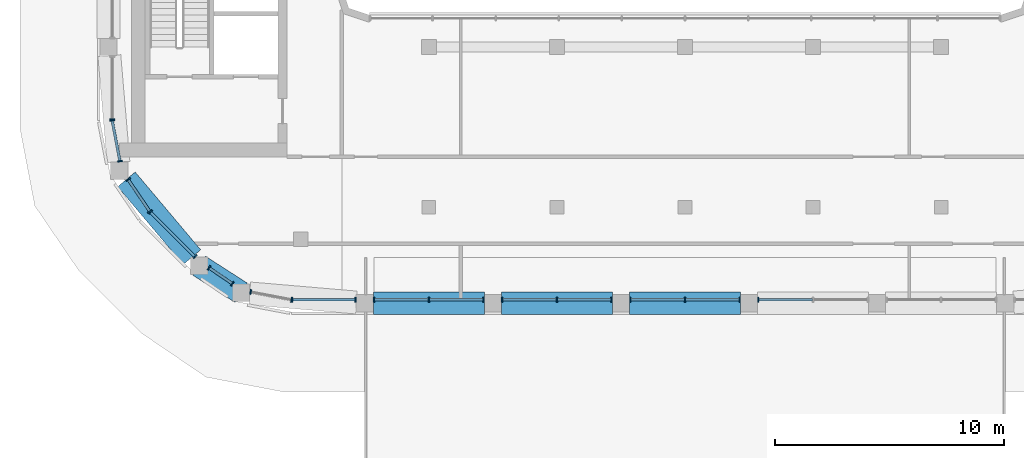
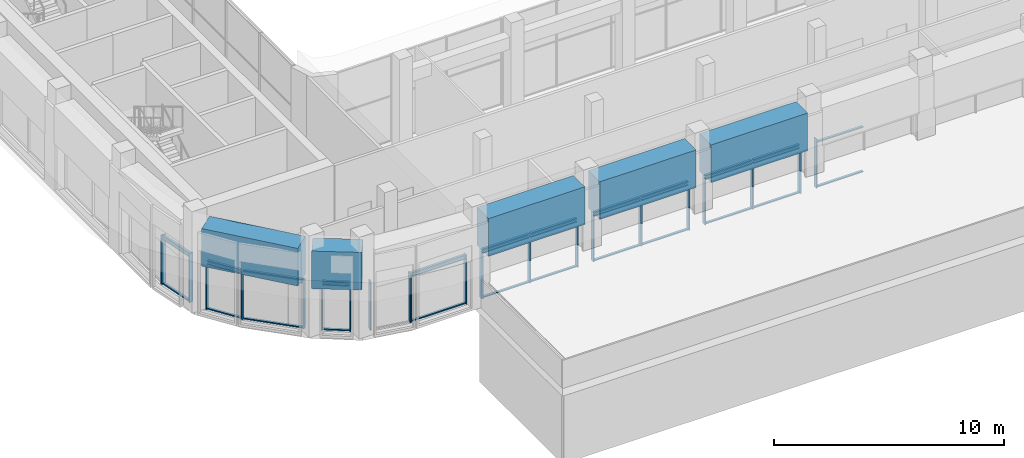
# One storey, part 2 of 23: 58 members, 5 beams, 11 elements without a shape of their own.
"""IFC4 building model written with IfcOpenShell, lengths in metres."""

import ifcopenshell
import ifcopenshell.guid

model = None  # the IFC model being written
_history = None  # IfcOwnerHistory: only IFC2X3 demands one
_inside = {}  # id of a spatial element -> (the spatial element, [elements in it])
_under = {}  # id of a project, library or spatial element -> (it, [spatial elements below it])
_declared = {}  # id of a project -> (the project, [libraries it declares])
_typed = {}  # id of a type object -> (the type object, [elements of that type])
_made_of = {}  # id of a material, layer set ... -> (it, [elements and type objects made of it])


def new_model(schema):
    """Start an empty IFC model of exactly this schema.

    Asked for "IFC4X3", IfcOpenShell would pick the latest addendum, in which some entities
    have other attributes; the version numbers below select the first issue.
    IFC2X3 requires an IfcOwnerHistory on every rooted entity: one is made here for all.
    """
    global model, _history
    if schema == "IFC4X3":
        model = ifcopenshell.file(schema_version=(4, 3, 0, 0))
    else:
        model = ifcopenshell.file(schema=schema)
    _inside.clear()
    _under.clear()
    _declared.clear()
    _typed.clear()
    _made_of.clear()
    _history = None
    if model.schema == "IFC2X3":
        org = make("IfcOrganization", Name="unknown")
        user = make(
            "IfcPersonAndOrganization",
            ThePerson=make("IfcPerson", FamilyName="unknown"),
            TheOrganization=org,
        )
        app = make(
            "IfcApplication",
            ApplicationDeveloper=org,
            Version="unknown",
            ApplicationFullName="unknown",
            ApplicationIdentifier="unknown",
        )
        _history = make(
            "IfcOwnerHistory",
            OwningUser=user,
            OwningApplication=app,
            ChangeAction="ADDED",
            CreationDate=0,
        )
    return model


def make(cls, **values):
    """One entity of the class cls with the attributes given. An attribute that is None is left unset."""
    return model.create_entity(
        cls, **{name: value for name, value in values.items() if value is not None}
    )


def rooted(cls, **values):
    """An entity with a GlobalId (a new one), such as an element, a storey or a relation."""
    return make(cls, GlobalId=ifcopenshell.guid.new(), OwnerHistory=_history, **values)


def si_unit(unit_type, name, prefix=None):
    """IfcSIUnit, for example si_unit("LENGTHUNIT", "METRE", prefix="MILLI")."""
    return make("IfcSIUnit", UnitType=unit_type, Prefix=prefix, Name=name)


def assignment(units):
    """IfcUnitAssignment: the units of a project."""
    return None if units is None else make("IfcUnitAssignment", Units=units)


def point(xyz):
    """IfcCartesianPoint."""
    return None if xyz is None else make("IfcCartesianPoint", Coordinates=xyz)


def direction(xyz):
    """IfcDirection."""
    return None if xyz is None else make("IfcDirection", DirectionRatios=xyz)


def frame(location, z_axis=None, x_axis=None):
    """IfcAxis2Placement3D, a coordinate frame: its origin and axes. An axis left out is left unset."""
    return make(
        "IfcAxis2Placement3D",
        Location=point(location),
        Axis=direction(z_axis),
        RefDirection=direction(x_axis),
    )


def frame_2d(location, x_axis=None):
    """IfcAxis2Placement2D, a coordinate frame in the plane: its origin and x axis."""
    return make(
        "IfcAxis2Placement2D", Location=point(location), RefDirection=direction(x_axis)
    )


def origin():
    """The frame at (0, 0, 0) with its axes left unset."""
    return frame((0.0, 0.0, 0.0))


def origin_2d():
    """The frame at (0, 0) in the plane with its x axis left unset."""
    return frame_2d((0.0, 0.0))


def place(relative_to, where):
    """IfcLocalPlacement: puts the frame where relative to a parent placement (None: the world)."""
    return make(
        "IfcLocalPlacement", PlacementRelTo=relative_to, RelativePlacement=where
    )


def context(
    kind, dimensions, precision=None, world=None, true_north=None, identifier=None
):
    """IfcGeometricRepresentationContext, for example the 3D "Model" context."""
    return make(
        "IfcGeometricRepresentationContext",
        ContextIdentifier=identifier,
        ContextType=kind,
        CoordinateSpaceDimension=dimensions,
        Precision=precision,
        WorldCoordinateSystem=world,
        TrueNorth=true_north,
    )


def subcontext(parent, identifier, kind, view, scale=None):
    """IfcGeometricRepresentationSubContext, for example "Body" below "Model"."""
    return make(
        "IfcGeometricRepresentationSubContext",
        ContextIdentifier=identifier,
        ContextType=kind,
        ParentContext=parent,
        TargetScale=scale,
        TargetView=view,
    )


def project(units=None, contexts=None):
    """IfcProject with its units and contexts."""
    return rooted(
        "IfcProject",
        Name="project",
        RepresentationContexts=contexts,
        UnitsInContext=assignment(units),
    )


def spatial(cls, under=None, at=None, **own):
    """A site, building, storey or space (cls), placed at a placement, below another one or the project."""
    s = rooted(cls, ObjectPlacement=at, **own)
    if under is not None:
        _under.setdefault(under.id(), (under, []))[1].append(s)
    return s


def profile(cls, at=None, kind="AREA", **sizes):
    """A parametric profile (cls). Its sizes go by their IFC names, for example OverallWidth=200.0."""
    return make(cls, ProfileType=kind, Position=at, **sizes)


def rectangle(**sizes):
    """IfcRectangleProfileDef."""
    return profile("IfcRectangleProfileDef", **sizes)


def extrude(swept, where, along, depth):
    """IfcExtrudedAreaSolid: the profile swept, set in the frame where, extruded along a direction by depth."""
    return make(
        "IfcExtrudedAreaSolid",
        SweptArea=swept,
        Position=where,
        ExtrudedDirection=direction(along),
        Depth=depth,
    )


def shape(context_of_items, identifier, shape_type, items):
    """IfcShapeRepresentation: the items that make up one representation, for example the "Body"."""
    return make(
        "IfcShapeRepresentation",
        ContextOfItems=context_of_items,
        RepresentationIdentifier=identifier,
        RepresentationType=shape_type,
        Items=items,
    )


def material(Name=None, Category=None):
    """IfcMaterial."""
    return make("IfcMaterial", Name=Name, Category=Category)


def layer(
    of_material, thickness, ventilated=None, Name=None, Category=None, Priority=None
):
    """IfcMaterialLayer: one layer of a wall or slab, of a material (None: an air gap)."""
    return make(
        "IfcMaterialLayer",
        Material=of_material,
        LayerThickness=thickness,
        IsVentilated=ventilated,
        Name=Name,
        Category=Category,
        Priority=Priority,
    )


def layer_set(layers, Name=None):
    """IfcMaterialLayerSet."""
    return make("IfcMaterialLayerSet", MaterialLayers=layers, LayerSetName=Name)


def material_profile(
    of_material, cross_section, Name=None, Category=None, Priority=None
):
    """IfcMaterialProfile: a cross section and its material."""
    return make(
        "IfcMaterialProfile",
        Name=Name,
        Material=of_material,
        Profile=cross_section,
        Priority=Priority,
        Category=Category,
    )


def profile_set(profiles, Name=None, composite=None):
    """IfcMaterialProfileSet."""
    return make(
        "IfcMaterialProfileSet",
        Name=Name,
        MaterialProfiles=profiles,
        CompositeProfile=composite,
    )


def made_of(thing, what):
    """Note that an element or type object is made of a material, layer set ...; save() writes the relation."""
    if what is not None:
        _made_of.setdefault(what.id(), (what, []))[1].append(thing)
    return thing


def type_object(cls, material=None, **own):
    """A type object (cls), such as IfcWallType, which elements share."""
    return made_of(rooted(cls, **own), material)


def element(
    cls,
    number,
    at=None,
    inside=None,
    cuts=None,
    type_object=None,
    material=None,
    context=None,
    identifier="Body",
    shape_type=None,
    held_by="IfcProductDefinitionShape",
    body=None,
    shapes=None,
    **own,
):
    """One element of the class cls, such as IfcWall. Its Tag is "e" and its number.

    at: its placement. inside: the storey or other place that contains it. cuts: it is an
    opening in that element (IfcRelVoidsElement). A single representation is given by context,
    identifier, shape_type and body (its items); several are given by shapes. held_by: the class
    of the entity that holds the representations. save() writes the other relations.
    """
    e = rooted(cls, Tag="e%d" % number, ObjectPlacement=at, **own)
    if body is not None:
        shapes = [shape(context, identifier, shape_type, body)]
    if shapes is not None:
        e.Representation = make(held_by, Representations=shapes)
    if inside is not None:
        _inside.setdefault(inside.id(), (inside, []))[1].append(e)
    if cuts is not None:
        rooted(
            "IfcRelVoidsElement", RelatingBuildingElement=cuts, RelatedOpeningElement=e
        )
    if type_object is not None:
        _typed.setdefault(type_object.id(), (type_object, []))[1].append(e)
    return made_of(e, material)


def aggregate(whole, parts):
    """IfcRelAggregates: a whole, such as a stair, and the parts it consists of."""
    return rooted("IfcRelAggregates", RelatingObject=whole, RelatedObjects=parts)


def save(model, path):
    """Write the relations noted so far, then the file.

    IfcRelAggregates (storeys below a building ...), IfcRelContainedInSpatialStructure (elements
    in a storey), IfcRelDefinesByType, IfcRelAssociatesMaterial and IfcRelDeclares: one each for
    every whole, place, type object, material and project.
    """
    for whole, parts in _under.values():
        aggregate(whole, parts)
    for where, things in _inside.values():
        rooted(
            "IfcRelContainedInSpatialStructure",
            RelatedElements=things,
            RelatingStructure=where,
        )
    for kind, things in _typed.values():
        rooted("IfcRelDefinesByType", RelatedObjects=things, RelatingType=kind)
    for what, things in _made_of.values():
        rooted("IfcRelAssociatesMaterial", RelatedObjects=things, RelatingMaterial=what)
    for by, libraries in _declared.values():
        rooted("IfcRelDeclares", RelatingContext=by, RelatedDefinitions=libraries)
    model.write(path)


model = new_model("IFC4")

# Units and contexts
model_context = context("Model", 3, precision=1e-05, world=origin(), true_north=direction((0.0, 1.0)))
body_context = subcontext(model_context, "Body", "Model", "MODEL_VIEW")
ifc_project = project(units=[si_unit("LENGTHUNIT", "METRE"), si_unit("AREAUNIT", "SQUARE_METRE"), si_unit("VOLUMEUNIT", "CUBIC_METRE"), si_unit("PLANEANGLEUNIT", "RADIAN"), si_unit("MASSUNIT", "GRAM", prefix="KILO")], contexts=[model_context])

# Site, building, storey
site_placement = place(None, origin())
site = spatial("IfcSite", under=ifc_project, at=site_placement, CompositionType="ELEMENT")
building_placement = place(site_placement, origin())
building = spatial("IfcBuilding", under=site, at=building_placement, Name="Kiln Ring Residences", CompositionType="ELEMENT")
storey_placement = place(building_placement, frame((0.0, 0.0, 294.5)))
storey = spatial("IfcBuildingStorey", under=building, at=storey_placement, Name="L76", CompositionType="ELEMENT", Elevation=294.5)

# Curtain wall, members
ifc_material_1 = material(Name="Aluminium and glass", Category="aluminium")
ifc_layer = layer(ifc_material_1, 0.219970703125)
ifc_layer_set = layer_set([ifc_layer], Name="CW5 CURTAIN WALL")
curtain_wall_type = type_object("IfcCurtainWallType", Name="CW5 CURTAIN WALL", PredefinedType="NOTDEFINED", material=ifc_layer_set)
placement = place(storey_placement, origin())
curtain_wall_1 = element("IfcCurtainWall", 1, at=placement, inside=storey, type_object=curtain_wall_type, Name="Curtain wall CW5 L76", PredefinedType="NOTDEFINED")
ifc_material_2 = material(Name="Aluminium 6063-T6", Category="aluminium")
ifc_material_profile_1 = material_profile(ifc_material_2, rectangle(XDim=0.219970703125, YDim=0.06005859375, at=origin_2d()), Name="AL 220x60")
ifc_profile_set_1 = profile_set([ifc_material_profile_1], Name="Aluminium 6063-T6")
member_type_1 = type_object("IfcMemberType", Name="CW5 MULLION 220 x 60", PredefinedType="MULLION", material=ifc_profile_set_1)
member_1_placement = place(storey_placement, frame((-23.375732421875, -15.6123046875, 0.0), z_axis=(0.0, 0.0, 1.0), x_axis=(0.707106781187, 0.707106781187, 0.0)))
member_1 = element("IfcMember", 2, at=member_1_placement, type_object=member_type_1, Name="CW5 mullion 1", PredefinedType="MULLION", context=body_context, shape_type="SweptSolid", body=[
    extrude(rectangle(XDim=0.219970703125, YDim=0.06005859375, at=origin_2d()), origin(), (0.0, 0.0, 1.0), 2.60009765625),
])
member_2_placement = place(storey_placement, frame((-21.42431640625, -17.5634765625, 0.0), z_axis=(0.0, 0.0, 1.0), x_axis=(0.707106781187, 0.707106781187, 0.0)))
member_2 = element("IfcMember", 3, at=member_2_placement, type_object=member_type_1, Name="CW5 mullion 2", PredefinedType="MULLION", context=body_context, shape_type="SweptSolid", body=[
    extrude(rectangle(XDim=0.219970703125, YDim=0.06005859375, at=origin_2d()), origin(), (0.0, 0.0, 1.0), 2.60009765625),
])

curtain_wall_2 = element("IfcCurtainWall", 4, at=placement, inside=storey, type_object=curtain_wall_type, Name="Curtain wall CW5 L76", PredefinedType="NOTDEFINED")
member_3_placement = place(storey_placement, frame((-20.8125, -18.051025390625, 0.0), z_axis=(0.0, 0.0, 1.0), x_axis=(0.562096651033, 0.827071553674, 0.0)))
member_3 = element("IfcMember", 5, at=member_3_placement, type_object=member_type_1, Name="CW5 mullion 1", PredefinedType="MULLION", context=body_context, shape_type="SweptSolid", body=[
    extrude(rectangle(XDim=0.219970703125, YDim=0.06005859375, at=origin_2d()), origin(), (0.0, 0.0, 1.0), 2.60009765625),
])
member_4_placement = place(storey_placement, frame((-19.789306640625, -18.746337890625, 0.0), z_axis=(0.0, 0.0, 1.0), x_axis=(0.562096651033, 0.827071553674, 0.0)))
member_4 = element("IfcMember", 6, at=member_4_placement, type_object=member_type_1, Name="CW5 mullion 2", PredefinedType="MULLION", context=body_context, shape_type="SweptSolid", body=[
    extrude(rectangle(XDim=0.219970703125, YDim=0.06005859375, at=origin_2d()), origin(), (0.0, 0.0, 1.0), 2.60009765625),
])

curtain_wall_3 = element("IfcCurtainWall", 7, at=placement, inside=storey, type_object=curtain_wall_type, Name="Curtain wall CW5 L76", PredefinedType="NOTDEFINED")
member_5_placement = place(storey_placement, frame((-18.990234375, -19.105712890625, 0.0), z_axis=(0.0, 0.0, 1.0), x_axis=(0.187365550364, 0.982290257784, 0.0)))
member_5 = element("IfcMember", 8, at=member_5_placement, type_object=member_type_1, Name="CW5 mullion 1", PredefinedType="MULLION", context=body_context, shape_type="SweptSolid", body=[
    extrude(rectangle(XDim=0.219970703125, YDim=0.06005859375, at=origin_2d()), origin(), (0.0, 0.0, 1.0), 2.60009765625),
])
member_6_placement = place(storey_placement, frame((-17.201416015625, -19.447021484375, 0.0), z_axis=(0.0, 0.0, 1.0), x_axis=(0.187365550364, 0.982290257784, 0.0)))
member_6 = element("IfcMember", 9, at=member_6_placement, type_object=member_type_1, Name="CW5 mullion 2", PredefinedType="MULLION", context=body_context, shape_type="SweptSolid", body=[
    extrude(rectangle(XDim=0.219970703125, YDim=0.06005859375, at=origin_2d()), origin(), (0.0, 0.0, 1.0), 2.60009765625),
])
aggregate(curtain_wall_3, [member_5, member_6])

curtain_wall_4 = element("IfcCurtainWall", 10, at=placement, inside=storey, type_object=curtain_wall_type, Name="Curtain wall CW5 L76", PredefinedType="NOTDEFINED")
member_7_placement = place(storey_placement, frame((-17.169921875, -19.449951171875, 0.0), z_axis=(0.0, 0.0, 1.0), x_axis=(0.0, 1.0, 0.0)))
member_7 = element("IfcMember", 11, at=member_7_placement, type_object=member_type_1, Name="CW5 mullion 1", PredefinedType="MULLION", context=body_context, shape_type="SweptSolid", body=[
    extrude(rectangle(XDim=0.219970703125, YDim=0.06005859375, at=origin_2d()), origin(), (0.0, 0.0, 1.0), 2.60009765625),
])
member_8_placement = place(storey_placement, frame((-14.405029296875, -19.449951171875, 0.0), z_axis=(0.0, 0.0, 1.0), x_axis=(0.0, 1.0, 0.0)))
member_8 = element("IfcMember", 12, at=member_8_placement, type_object=member_type_1, Name="CW5 mullion 2", PredefinedType="MULLION", context=body_context, shape_type="SweptSolid", body=[
    extrude(rectangle(XDim=0.219970703125, YDim=0.06005859375, at=origin_2d()), origin(), (0.0, 0.0, 1.0), 2.60009765625),
])

curtain_wall_5 = element("IfcCurtainWall", 13, at=placement, inside=storey, type_object=curtain_wall_type, Name="Curtain wall CW5 L76", PredefinedType="NOTDEFINED")
member_9_placement = place(storey_placement, frame((-13.594970703125, -19.449951171875, 0.0), z_axis=(0.0, 0.0, 1.0), x_axis=(0.0, 1.0, 0.0)))
member_9 = element("IfcMember", 14, at=member_9_placement, type_object=member_type_1, Name="CW5 mullion 1", PredefinedType="MULLION", context=body_context, shape_type="SweptSolid", body=[
    extrude(rectangle(XDim=0.219970703125, YDim=0.06005859375, at=origin_2d()), origin(), (0.0, 0.0, 1.0), 2.60009765625),
])
member_10_placement = place(storey_placement, frame((-11.199951171875, -19.449951171875, 0.0), z_axis=(0.0, 0.0, 1.0), x_axis=(0.0, 1.0, 0.0)))
member_10 = element("IfcMember", 15, at=member_10_placement, type_object=member_type_1, Name="CW5 mullion 2", PredefinedType="MULLION", context=body_context, shape_type="SweptSolid", body=[
    extrude(rectangle(XDim=0.219970703125, YDim=0.06005859375, at=origin_2d()), origin(), (0.0, 0.0, 1.0), 2.60009765625),
])
member_11_placement = place(storey_placement, frame((-8.804931640625, -19.449951171875, 0.0), z_axis=(0.0, 0.0, 1.0), x_axis=(0.0, 1.0, 0.0)))
member_11 = element("IfcMember", 16, at=member_11_placement, type_object=member_type_1, Name="CW5 mullion 3", PredefinedType="MULLION", context=body_context, shape_type="SweptSolid", body=[
    extrude(rectangle(XDim=0.219970703125, YDim=0.06005859375, at=origin_2d()), origin(), (0.0, 0.0, 1.0), 2.60009765625),
])

curtain_wall_6 = element("IfcCurtainWall", 17, at=placement, inside=storey, type_object=curtain_wall_type, Name="Curtain wall CW5 L76", PredefinedType="NOTDEFINED")
member_12_placement = place(storey_placement, frame((-7.9951171875, -19.449951171875, 0.0), z_axis=(0.0, 0.0, 1.0), x_axis=(0.0, 1.0, 0.0)))
member_12 = element("IfcMember", 18, at=member_12_placement, type_object=member_type_1, Name="CW5 mullion 1", PredefinedType="MULLION", context=body_context, shape_type="SweptSolid", body=[
    extrude(rectangle(XDim=0.219970703125, YDim=0.06005859375, at=origin_2d()), origin(), (0.0, 0.0, 1.0), 2.60009765625),
])
member_13_placement = place(storey_placement, frame((-5.60009765625, -19.449951171875, 0.0), z_axis=(0.0, 0.0, 1.0), x_axis=(0.0, 1.0, 0.0)))
member_13 = element("IfcMember", 19, at=member_13_placement, type_object=member_type_1, Name="CW5 mullion 2", PredefinedType="MULLION", context=body_context, shape_type="SweptSolid", body=[
    extrude(rectangle(XDim=0.219970703125, YDim=0.06005859375, at=origin_2d()), origin(), (0.0, 0.0, 1.0), 2.60009765625),
])
member_14_placement = place(storey_placement, frame((-3.205078125, -19.449951171875, 0.0), z_axis=(0.0, 0.0, 1.0), x_axis=(0.0, 1.0, 0.0)))
member_14 = element("IfcMember", 20, at=member_14_placement, type_object=member_type_1, Name="CW5 mullion 3", PredefinedType="MULLION", context=body_context, shape_type="SweptSolid", body=[
    extrude(rectangle(XDim=0.219970703125, YDim=0.06005859375, at=origin_2d()), origin(), (0.0, 0.0, 1.0), 2.60009765625),
])

curtain_wall_7 = element("IfcCurtainWall", 21, at=placement, inside=storey, type_object=curtain_wall_type, Name="Curtain wall CW5 L76", PredefinedType="NOTDEFINED")
member_15_placement = place(storey_placement, frame((-2.39501953125, -19.449951171875, 0.0), z_axis=(0.0, 0.0, 1.0), x_axis=(0.0, 1.0, 0.0)))
member_15 = element("IfcMember", 22, at=member_15_placement, type_object=member_type_1, Name="CW5 mullion 1", PredefinedType="MULLION", context=body_context, shape_type="SweptSolid", body=[
    extrude(rectangle(XDim=0.219970703125, YDim=0.06005859375, at=origin_2d()), origin(), (0.0, 0.0, 1.0), 2.60009765625),
])
member_16_placement = place(storey_placement, frame((0.0, -19.449951171875, 0.0), z_axis=(0.0, 0.0, 1.0), x_axis=(0.0, 1.0, 0.0)))
member_16 = element("IfcMember", 23, at=member_16_placement, type_object=member_type_1, Name="CW5 mullion 2", PredefinedType="MULLION", context=body_context, shape_type="SweptSolid", body=[
    extrude(rectangle(XDim=0.219970703125, YDim=0.06005859375, at=origin_2d()), origin(), (0.0, 0.0, 1.0), 2.60009765625),
])
member_17_placement = place(storey_placement, frame((2.39501953125, -19.449951171875, 0.0), z_axis=(0.0, 0.0, 1.0), x_axis=(0.0, 1.0, 0.0)))
member_17 = element("IfcMember", 24, at=member_17_placement, type_object=member_type_1, Name="CW5 mullion 3", PredefinedType="MULLION", context=body_context, shape_type="SweptSolid", body=[
    extrude(rectangle(XDim=0.219970703125, YDim=0.06005859375, at=origin_2d()), origin(), (0.0, 0.0, 1.0), 2.60009765625),
])

# Curtain wall, member
curtain_wall_8 = element("IfcCurtainWall", 25, at=placement, inside=storey, type_object=curtain_wall_type, Name="Curtain wall CW5 L76", PredefinedType="NOTDEFINED")
member_18_placement = place(storey_placement, frame((3.205078125, -19.449951171875, 0.0), z_axis=(0.0, 0.0, 1.0), x_axis=(0.0, 1.0, 0.0)))
member_18 = element("IfcMember", 26, at=member_18_placement, type_object=member_type_1, Name="CW5 mullion 1", PredefinedType="MULLION", context=body_context, shape_type="SweptSolid", body=[
    extrude(rectangle(XDim=0.219970703125, YDim=0.06005859375, at=origin_2d()), origin(), (0.0, 0.0, 1.0), 2.60009765625),
])

curtain_wall_9 = element("IfcCurtainWall", 27, at=placement, inside=storey, type_object=curtain_wall_type, Name="Curtain wall CW5 L76", PredefinedType="NOTDEFINED")
member_19_placement = place(storey_placement, frame((-25.050048828125, -11.570068359375, 0.0), z_axis=(0.0, 0.0, 1.0), x_axis=(1.0, 0.0, 0.0)))
member_19 = element("IfcMember", 28, at=member_19_placement, type_object=member_type_1, Name="CW5 mullion 2", PredefinedType="MULLION", context=body_context, shape_type="SweptSolid", body=[
    extrude(rectangle(XDim=0.219970703125, YDim=0.06005859375, at=origin_2d()), origin(), (0.0, 0.0, 1.0), 2.60009765625),
])
aggregate(curtain_wall_9, [member_19])

# Curtain wall, members
curtain_wall_10 = element("IfcCurtainWall", 29, at=placement, inside=storey, type_object=curtain_wall_type, Name="Curtain wall CW5 L76", PredefinedType="NOTDEFINED")
member_20_placement = place(storey_placement, frame((-25.047119140625, -11.601318359375, 0.0), z_axis=(0.0, 0.0, 1.0), x_axis=(0.982290257784, 0.187365550364, 0.0)))
member_20 = element("IfcMember", 30, at=member_20_placement, type_object=member_type_1, Name="CW5 mullion 1", PredefinedType="MULLION", context=body_context, shape_type="SweptSolid", body=[
    extrude(rectangle(XDim=0.219970703125, YDim=0.06005859375, at=origin_2d()), origin(), (0.0, 0.0, 1.0), 2.60009765625),
])
member_21_placement = place(storey_placement, frame((-24.705810546875, -13.39013671875, 0.0), z_axis=(0.0, 0.0, 1.0), x_axis=(0.982290257784, 0.187365550364, 0.0)))
member_21 = element("IfcMember", 31, at=member_21_placement, type_object=member_type_1, Name="CW5 mullion 2", PredefinedType="MULLION", context=body_context, shape_type="SweptSolid", body=[
    extrude(rectangle(XDim=0.219970703125, YDim=0.06005859375, at=origin_2d()), origin(), (0.0, 0.0, 1.0), 2.60009765625),
])

curtain_wall_11 = element("IfcCurtainWall", 32, at=placement, inside=storey, type_object=curtain_wall_type, Name="Curtain wall CW5 L76", PredefinedType="NOTDEFINED")
member_22_placement = place(storey_placement, frame((-24.34619140625, -14.189453125, 0.0), z_axis=(0.0, 0.0, 1.0), x_axis=(0.827071553606, 0.562096651134, 0.0)))
member_22 = element("IfcMember", 33, at=member_22_placement, type_object=member_type_1, Name="CW5 mullion 1", PredefinedType="MULLION", context=body_context, shape_type="SweptSolid", body=[
    extrude(rectangle(XDim=0.219970703125, YDim=0.06005859375, at=origin_2d()), origin(), (0.0, 0.0, 1.0), 2.60009765625),
])
member_23_placement = place(storey_placement, frame((-23.395751953125, -15.587890625, 0.0), z_axis=(0.0, 0.0, 1.0), x_axis=(0.827071553606, 0.562096651134, 0.0)))
member_23 = element("IfcMember", 34, at=member_23_placement, type_object=member_type_1, Name="CW5 mullion 2", PredefinedType="MULLION", context=body_context, shape_type="SweptSolid", body=[
    extrude(rectangle(XDim=0.219970703125, YDim=0.06005859375, at=origin_2d()), origin(), (0.0, 0.0, 1.0), 2.60009765625),
])

# Member
ifc_material_3 = material(Name="Aluminium 6063-T6", Category="aluminium")
ifc_material_profile_2 = material_profile(ifc_material_3, rectangle(XDim=0.1201171875, YDim=0.06005859375, at=origin_2d()), Name="AL 120x60")
ifc_profile_set_2 = profile_set([ifc_material_profile_2], Name="Aluminium 6063-T6")
member_type_2 = type_object("IfcMemberType", Name="CW5 TRANSOM 120 x 60", PredefinedType="USERDEFINED", material=ifc_profile_set_2)
member_24_placement = place(storey_placement, frame((-23.3544921875, -15.63330078125, 0.030029296875), z_axis=(0.707061565419, -0.707151994063, 0.0), x_axis=(0.707151994063, 0.707061565419, 0.0)))
member_24 = element("IfcMember", 35, at=member_24_placement, type_object=member_type_2, Name="CW5 transom 1.1", ObjectType="TRANSOM", PredefinedType="USERDEFINED", context=body_context, shape_type="SweptSolid", body=[
    extrude(rectangle(XDim=0.1201171875, YDim=0.06005859375, at=origin_2d()), origin(), (0.0, 0.0, 1.0), 2.69970703125),
])

member_25_placement = place(storey_placement, frame((-23.3544921875, -15.63330078125, 2.39990234375), z_axis=(0.707061565419, -0.707151994063, 0.0), x_axis=(0.707151994063, 0.707061565419, 0.0)))
member_25 = element("IfcMember", 36, at=member_25_placement, type_object=member_type_2, Name="CW5 transom 1.2", ObjectType="TRANSOM", PredefinedType="USERDEFINED", context=body_context, shape_type="SweptSolid", body=[
    extrude(rectangle(XDim=0.1201171875, YDim=0.06005859375, at=origin_2d()), origin(), (0.0, 0.0, 1.0), 2.69970703125),
])

member_26_placement = place(storey_placement, frame((-23.3544921875, -15.63330078125, 2.570068359375), z_axis=(0.707061565419, -0.707151994063, 0.0), x_axis=(0.707151994063, 0.707061565419, 0.0)))
member_26 = element("IfcMember", 37, at=member_26_placement, type_object=member_type_2, Name="CW5 transom 1.3", ObjectType="TRANSOM", PredefinedType="USERDEFINED", context=body_context, shape_type="SweptSolid", body=[
    extrude(rectangle(XDim=0.1201171875, YDim=0.06005859375, at=origin_2d()), origin(), (0.0, 0.0, 1.0), 2.69970703125),
])

aggregate(curtain_wall_1, [member_1, member_2, member_24, member_25, member_26])

member_27_placement = place(storey_placement, frame((-20.78759765625, -18.06787109375, 0.030029296875), z_axis=(0.827038372833, -0.562145470373, 0.0), x_axis=(0.562145470373, 0.827038372833, 0.0)))
member_27 = element("IfcMember", 38, at=member_27_placement, type_object=member_type_2, Name="CW5 transom 1.1", ObjectType="TRANSOM", PredefinedType="USERDEFINED", context=body_context, shape_type="SweptSolid", body=[
    extrude(rectangle(XDim=0.1201171875, YDim=0.06005859375, at=origin_2d()), origin(), (0.0, 0.0, 1.0), 1.177001953125),
])

member_28_placement = place(storey_placement, frame((-20.78759765625, -18.06787109375, 2.39990234375), z_axis=(0.827038372833, -0.562145470373, 0.0), x_axis=(0.562145470373, 0.827038372833, 0.0)))
member_28 = element("IfcMember", 39, at=member_28_placement, type_object=member_type_2, Name="CW5 transom 1.2", ObjectType="TRANSOM", PredefinedType="USERDEFINED", context=body_context, shape_type="SweptSolid", body=[
    extrude(rectangle(XDim=0.1201171875, YDim=0.06005859375, at=origin_2d()), origin(), (0.0, 0.0, 1.0), 1.177001953125),
])

member_29_placement = place(storey_placement, frame((-20.78759765625, -18.06787109375, 2.570068359375), z_axis=(0.827038372833, -0.562145470373, 0.0), x_axis=(0.562145470373, 0.827038372833, 0.0)))
member_29 = element("IfcMember", 40, at=member_29_placement, type_object=member_type_2, Name="CW5 transom 1.3", ObjectType="TRANSOM", PredefinedType="USERDEFINED", context=body_context, shape_type="SweptSolid", body=[
    extrude(rectangle(XDim=0.1201171875, YDim=0.06005859375, at=origin_2d()), origin(), (0.0, 0.0, 1.0), 1.177001953125),
])

aggregate(curtain_wall_2, [member_3, member_4, member_27, member_28, member_29])

member_30_placement = place(storey_placement, frame((-17.139892578125, -19.449951171875, 0.030029296875), z_axis=(1.0, 0.0, 0.0), x_axis=(0.0, 1.0, 0.0)))
member_30 = element("IfcMember", 41, at=member_30_placement, type_object=member_type_2, Name="CW5 transom 1.1", ObjectType="TRANSOM", PredefinedType="USERDEFINED", context=body_context, shape_type="SweptSolid", body=[
    extrude(rectangle(XDim=0.1201171875, YDim=0.06005859375, at=origin_2d()), origin(), (0.0, 0.0, 1.0), 2.704833984375),
])

member_31_placement = place(storey_placement, frame((-17.139892578125, -19.449951171875, 2.39990234375), z_axis=(1.0, 0.0, 0.0), x_axis=(0.0, 1.0, 0.0)))
member_31 = element("IfcMember", 42, at=member_31_placement, type_object=member_type_2, Name="CW5 transom 1.2", ObjectType="TRANSOM", PredefinedType="USERDEFINED", context=body_context, shape_type="SweptSolid", body=[
    extrude(rectangle(XDim=0.1201171875, YDim=0.06005859375, at=origin_2d()), origin(), (0.0, 0.0, 1.0), 2.704833984375),
])

member_32_placement = place(storey_placement, frame((-17.139892578125, -19.449951171875, 2.570068359375), z_axis=(1.0, 0.0, 0.0), x_axis=(0.0, 1.0, 0.0)))
member_32 = element("IfcMember", 43, at=member_32_placement, type_object=member_type_2, Name="CW5 transom 1.3", ObjectType="TRANSOM", PredefinedType="USERDEFINED", context=body_context, shape_type="SweptSolid", body=[
    extrude(rectangle(XDim=0.1201171875, YDim=0.06005859375, at=origin_2d()), origin(), (0.0, 0.0, 1.0), 2.704833984375),
])

aggregate(curtain_wall_4, [member_7, member_8, member_30, member_31, member_32])

member_33_placement = place(storey_placement, frame((-13.56494140625, -19.449951171875, 0.030029296875), z_axis=(1.0, 0.0, 0.0), x_axis=(0.0, 1.0, 0.0)))
member_33 = element("IfcMember", 44, at=member_33_placement, type_object=member_type_2, Name="CW5 transom 1.1", ObjectType="TRANSOM", PredefinedType="USERDEFINED", context=body_context, shape_type="SweptSolid", body=[
    extrude(rectangle(XDim=0.1201171875, YDim=0.06005859375, at=origin_2d()), origin(), (0.0, 0.0, 1.0), 2.3349609375),
])

member_34_placement = place(storey_placement, frame((-13.56494140625, -19.449951171875, 2.39990234375), z_axis=(1.0, 0.0, 0.0), x_axis=(0.0, 1.0, 0.0)))
member_34 = element("IfcMember", 45, at=member_34_placement, type_object=member_type_2, Name="CW5 transom 1.2", ObjectType="TRANSOM", PredefinedType="USERDEFINED", context=body_context, shape_type="SweptSolid", body=[
    extrude(rectangle(XDim=0.1201171875, YDim=0.06005859375, at=origin_2d()), origin(), (0.0, 0.0, 1.0), 2.3349609375),
])

member_35_placement = place(storey_placement, frame((-13.56494140625, -19.449951171875, 2.570068359375), z_axis=(1.0, 0.0, 0.0), x_axis=(0.0, 1.0, 0.0)))
member_35 = element("IfcMember", 46, at=member_35_placement, type_object=member_type_2, Name="CW5 transom 1.3", ObjectType="TRANSOM", PredefinedType="USERDEFINED", context=body_context, shape_type="SweptSolid", body=[
    extrude(rectangle(XDim=0.1201171875, YDim=0.06005859375, at=origin_2d()), origin(), (0.0, 0.0, 1.0), 2.3349609375),
])

member_36_placement = place(storey_placement, frame((-11.169921875, -19.449951171875, 0.030029296875), z_axis=(1.0, 0.0, 0.0), x_axis=(0.0, 1.0, 0.0)))
member_36 = element("IfcMember", 47, at=member_36_placement, type_object=member_type_2, Name="CW5 transom 2.1", ObjectType="TRANSOM", PredefinedType="USERDEFINED", context=body_context, shape_type="SweptSolid", body=[
    extrude(rectangle(XDim=0.1201171875, YDim=0.06005859375, at=origin_2d()), origin(), (0.0, 0.0, 1.0), 2.3349609375),
])

member_37_placement = place(storey_placement, frame((-11.169921875, -19.449951171875, 2.39990234375), z_axis=(1.0, 0.0, 0.0), x_axis=(0.0, 1.0, 0.0)))
member_37 = element("IfcMember", 48, at=member_37_placement, type_object=member_type_2, Name="CW5 transom 2.2", ObjectType="TRANSOM", PredefinedType="USERDEFINED", context=body_context, shape_type="SweptSolid", body=[
    extrude(rectangle(XDim=0.1201171875, YDim=0.06005859375, at=origin_2d()), origin(), (0.0, 0.0, 1.0), 2.3349609375),
])

member_38_placement = place(storey_placement, frame((-11.169921875, -19.449951171875, 2.570068359375), z_axis=(1.0, 0.0, 0.0), x_axis=(0.0, 1.0, 0.0)))
member_38 = element("IfcMember", 49, at=member_38_placement, type_object=member_type_2, Name="CW5 transom 2.3", ObjectType="TRANSOM", PredefinedType="USERDEFINED", context=body_context, shape_type="SweptSolid", body=[
    extrude(rectangle(XDim=0.1201171875, YDim=0.06005859375, at=origin_2d()), origin(), (0.0, 0.0, 1.0), 2.3349609375),
])

aggregate(curtain_wall_5, [member_9, member_10, member_11, member_33, member_34, member_35, member_36, member_37, member_38])

member_39_placement = place(storey_placement, frame((-7.965087890625, -19.449951171875, 0.030029296875), z_axis=(1.0, 0.0, 0.0), x_axis=(0.0, 1.0, 0.0)))
member_39 = element("IfcMember", 50, at=member_39_placement, type_object=member_type_2, Name="CW5 transom 1.1", ObjectType="TRANSOM", PredefinedType="USERDEFINED", context=body_context, shape_type="SweptSolid", body=[
    extrude(rectangle(XDim=0.1201171875, YDim=0.06005859375, at=origin_2d()), origin(), (0.0, 0.0, 1.0), 2.335205078125),
])

member_40_placement = place(storey_placement, frame((-7.965087890625, -19.449951171875, 2.39990234375), z_axis=(1.0, 0.0, 0.0), x_axis=(0.0, 1.0, 0.0)))
member_40 = element("IfcMember", 51, at=member_40_placement, type_object=member_type_2, Name="CW5 transom 1.2", ObjectType="TRANSOM", PredefinedType="USERDEFINED", context=body_context, shape_type="SweptSolid", body=[
    extrude(rectangle(XDim=0.1201171875, YDim=0.06005859375, at=origin_2d()), origin(), (0.0, 0.0, 1.0), 2.335205078125),
])

member_41_placement = place(storey_placement, frame((-7.965087890625, -19.449951171875, 2.570068359375), z_axis=(1.0, 0.0, 0.0), x_axis=(0.0, 1.0, 0.0)))
member_41 = element("IfcMember", 52, at=member_41_placement, type_object=member_type_2, Name="CW5 transom 1.3", ObjectType="TRANSOM", PredefinedType="USERDEFINED", context=body_context, shape_type="SweptSolid", body=[
    extrude(rectangle(XDim=0.1201171875, YDim=0.06005859375, at=origin_2d()), origin(), (0.0, 0.0, 1.0), 2.335205078125),
])

member_42_placement = place(storey_placement, frame((-5.570068359375, -19.449951171875, 0.030029296875), z_axis=(1.0, 0.0, 0.0), x_axis=(0.0, 1.0, 0.0)))
member_42 = element("IfcMember", 53, at=member_42_placement, type_object=member_type_2, Name="CW5 transom 2.1", ObjectType="TRANSOM", PredefinedType="USERDEFINED", context=body_context, shape_type="SweptSolid", body=[
    extrude(rectangle(XDim=0.1201171875, YDim=0.06005859375, at=origin_2d()), origin(), (0.0, 0.0, 1.0), 2.3349609375),
])

member_43_placement = place(storey_placement, frame((-5.570068359375, -19.449951171875, 2.39990234375), z_axis=(1.0, 0.0, 0.0), x_axis=(0.0, 1.0, 0.0)))
member_43 = element("IfcMember", 54, at=member_43_placement, type_object=member_type_2, Name="CW5 transom 2.2", ObjectType="TRANSOM", PredefinedType="USERDEFINED", context=body_context, shape_type="SweptSolid", body=[
    extrude(rectangle(XDim=0.1201171875, YDim=0.06005859375, at=origin_2d()), origin(), (0.0, 0.0, 1.0), 2.3349609375),
])

member_44_placement = place(storey_placement, frame((-5.570068359375, -19.449951171875, 2.570068359375), z_axis=(1.0, 0.0, 0.0), x_axis=(0.0, 1.0, 0.0)))
member_44 = element("IfcMember", 55, at=member_44_placement, type_object=member_type_2, Name="CW5 transom 2.3", ObjectType="TRANSOM", PredefinedType="USERDEFINED", context=body_context, shape_type="SweptSolid", body=[
    extrude(rectangle(XDim=0.1201171875, YDim=0.06005859375, at=origin_2d()), origin(), (0.0, 0.0, 1.0), 2.3349609375),
])

aggregate(curtain_wall_6, [member_12, member_13, member_14, member_39, member_40, member_41, member_42, member_43, member_44])

member_45_placement = place(storey_placement, frame((-2.364990234375, -19.449951171875, 0.030029296875), z_axis=(1.0, 0.0, 0.0), x_axis=(0.0, 1.0, 0.0)))
member_45 = element("IfcMember", 56, at=member_45_placement, type_object=member_type_2, Name="CW5 transom 1.1", ObjectType="TRANSOM", PredefinedType="USERDEFINED", context=body_context, shape_type="SweptSolid", body=[
    extrude(rectangle(XDim=0.1201171875, YDim=0.06005859375, at=origin_2d()), origin(), (0.0, 0.0, 1.0), 2.3349609375),
])

member_46_placement = place(storey_placement, frame((-2.364990234375, -19.449951171875, 2.39990234375), z_axis=(1.0, 0.0, 0.0), x_axis=(0.0, 1.0, 0.0)))
member_46 = element("IfcMember", 57, at=member_46_placement, type_object=member_type_2, Name="CW5 transom 1.2", ObjectType="TRANSOM", PredefinedType="USERDEFINED", context=body_context, shape_type="SweptSolid", body=[
    extrude(rectangle(XDim=0.1201171875, YDim=0.06005859375, at=origin_2d()), origin(), (0.0, 0.0, 1.0), 2.3349609375),
])

member_47_placement = place(storey_placement, frame((-2.364990234375, -19.449951171875, 2.570068359375), z_axis=(1.0, 0.0, 0.0), x_axis=(0.0, 1.0, 0.0)))
member_47 = element("IfcMember", 58, at=member_47_placement, type_object=member_type_2, Name="CW5 transom 1.3", ObjectType="TRANSOM", PredefinedType="USERDEFINED", context=body_context, shape_type="SweptSolid", body=[
    extrude(rectangle(XDim=0.1201171875, YDim=0.06005859375, at=origin_2d()), origin(), (0.0, 0.0, 1.0), 2.3349609375),
])

member_48_placement = place(storey_placement, frame((0.030029296875, -19.449951171875, 0.030029296875), z_axis=(1.0, 0.0, 0.0), x_axis=(0.0, 1.0, 0.0)))
member_48 = element("IfcMember", 59, at=member_48_placement, type_object=member_type_2, Name="CW5 transom 2.1", ObjectType="TRANSOM", PredefinedType="USERDEFINED", context=body_context, shape_type="SweptSolid", body=[
    extrude(rectangle(XDim=0.1201171875, YDim=0.06005859375, at=origin_2d()), origin(), (0.0, 0.0, 1.0), 2.3349609375),
])

member_49_placement = place(storey_placement, frame((0.030029296875, -19.449951171875, 2.39990234375), z_axis=(1.0, 0.0, 0.0), x_axis=(0.0, 1.0, 0.0)))
member_49 = element("IfcMember", 60, at=member_49_placement, type_object=member_type_2, Name="CW5 transom 2.2", ObjectType="TRANSOM", PredefinedType="USERDEFINED", context=body_context, shape_type="SweptSolid", body=[
    extrude(rectangle(XDim=0.1201171875, YDim=0.06005859375, at=origin_2d()), origin(), (0.0, 0.0, 1.0), 2.3349609375),
])

member_50_placement = place(storey_placement, frame((0.030029296875, -19.449951171875, 2.570068359375), z_axis=(1.0, 0.0, 0.0), x_axis=(0.0, 1.0, 0.0)))
member_50 = element("IfcMember", 61, at=member_50_placement, type_object=member_type_2, Name="CW5 transom 2.3", ObjectType="TRANSOM", PredefinedType="USERDEFINED", context=body_context, shape_type="SweptSolid", body=[
    extrude(rectangle(XDim=0.1201171875, YDim=0.06005859375, at=origin_2d()), origin(), (0.0, 0.0, 1.0), 2.3349609375),
])

aggregate(curtain_wall_7, [member_15, member_16, member_17, member_45, member_46, member_47, member_48, member_49, member_50])

member_51_placement = place(storey_placement, frame((3.235107421875, -19.449951171875, 0.030029296875), z_axis=(1.0, 0.0, 0.0), x_axis=(0.0, 1.0, 0.0)))
member_51 = element("IfcMember", 62, at=member_51_placement, type_object=member_type_2, Name="CW5 transom 1.1", ObjectType="TRANSOM", PredefinedType="USERDEFINED", context=body_context, shape_type="SweptSolid", body=[
    extrude(rectangle(XDim=0.1201171875, YDim=0.06005859375, at=origin_2d()), origin(), (0.0, 0.0, 1.0), 2.3349609375),
])

member_52_placement = place(storey_placement, frame((3.235107421875, -19.449951171875, 2.39990234375), z_axis=(1.0, 0.0, 0.0), x_axis=(0.0, 1.0, 0.0)))
member_52 = element("IfcMember", 63, at=member_52_placement, type_object=member_type_2, Name="CW5 transom 1.2", ObjectType="TRANSOM", PredefinedType="USERDEFINED", context=body_context, shape_type="SweptSolid", body=[
    extrude(rectangle(XDim=0.1201171875, YDim=0.06005859375, at=origin_2d()), origin(), (0.0, 0.0, 1.0), 2.3349609375),
])

aggregate(curtain_wall_8, [member_18, member_51, member_52])

member_53_placement = place(storey_placement, frame((-25.04150390625, -11.630859375, 0.030029296875), z_axis=(0.187417857375, -0.982280279114, 0.0), x_axis=(0.982280279114, 0.187417857375, 0.0)))
member_53 = element("IfcMember", 64, at=member_53_placement, type_object=member_type_2, Name="CW5 transom 1.1", ObjectType="TRANSOM", PredefinedType="USERDEFINED", context=body_context, shape_type="SweptSolid", body=[
    extrude(rectangle(XDim=0.1201171875, YDim=0.06005859375, at=origin_2d()), origin(), (0.0, 0.0, 1.0), 1.76123046875),
])

member_54_placement = place(storey_placement, frame((-25.04150390625, -11.630859375, 2.39990234375), z_axis=(0.187417857375, -0.982280279114, 0.0), x_axis=(0.982280279114, 0.187417857375, 0.0)))
member_54 = element("IfcMember", 65, at=member_54_placement, type_object=member_type_2, Name="CW5 transom 1.2", ObjectType="TRANSOM", PredefinedType="USERDEFINED", context=body_context, shape_type="SweptSolid", body=[
    extrude(rectangle(XDim=0.1201171875, YDim=0.06005859375, at=origin_2d()), origin(), (0.0, 0.0, 1.0), 1.76123046875),
])

member_55_placement = place(storey_placement, frame((-25.04150390625, -11.630859375, 2.570068359375), z_axis=(0.187417857375, -0.982280279114, 0.0), x_axis=(0.982280279114, 0.187417857375, 0.0)))
member_55 = element("IfcMember", 66, at=member_55_placement, type_object=member_type_2, Name="CW5 transom 1.3", ObjectType="TRANSOM", PredefinedType="USERDEFINED", context=body_context, shape_type="SweptSolid", body=[
    extrude(rectangle(XDim=0.1201171875, YDim=0.06005859375, at=origin_2d()), origin(), (0.0, 0.0, 1.0), 1.76123046875),
])

aggregate(curtain_wall_10, [member_20, member_21, member_53, member_54, member_55])

member_56_placement = place(storey_placement, frame((-24.329345703125, -14.214111328125, 0.030029296875), z_axis=(0.562035692516, -0.827112979186, 0.0), x_axis=(0.827112979186, 0.562035692516, 0.0)))
member_56 = element("IfcMember", 67, at=member_56_placement, type_object=member_type_2, Name="CW5 transom 1.1", ObjectType="TRANSOM", PredefinedType="USERDEFINED", context=body_context, shape_type="SweptSolid", body=[
    extrude(rectangle(XDim=0.1201171875, YDim=0.06005859375, at=origin_2d()), origin(), (0.0, 0.0, 1.0), 1.631103515625),
])

member_57_placement = place(storey_placement, frame((-24.329345703125, -14.214111328125, 2.39990234375), z_axis=(0.562035692516, -0.827112979186, 0.0), x_axis=(0.827112979186, 0.562035692516, 0.0)))
member_57 = element("IfcMember", 68, at=member_57_placement, type_object=member_type_2, Name="CW5 transom 1.2", ObjectType="TRANSOM", PredefinedType="USERDEFINED", context=body_context, shape_type="SweptSolid", body=[
    extrude(rectangle(XDim=0.1201171875, YDim=0.06005859375, at=origin_2d()), origin(), (0.0, 0.0, 1.0), 1.631103515625),
])

member_58_placement = place(storey_placement, frame((-24.329345703125, -14.214111328125, 2.570068359375), z_axis=(0.562035692516, -0.827112979186, 0.0), x_axis=(0.827112979186, 0.562035692516, 0.0)))
member_58 = element("IfcMember", 69, at=member_58_placement, type_object=member_type_2, Name="CW5 transom 1.3", ObjectType="TRANSOM", PredefinedType="USERDEFINED", context=body_context, shape_type="SweptSolid", body=[
    extrude(rectangle(XDim=0.1201171875, YDim=0.06005859375, at=origin_2d()), origin(), (0.0, 0.0, 1.0), 1.631103515625),
])

aggregate(curtain_wall_11, [member_22, member_23, member_56, member_57, member_58])

# Beams
ifc_material_4 = material(Name="Concrete C70/85", Category="concrete")
ifc_material_profile_3 = material_profile(ifc_material_4, rectangle(XDim=1.0, YDim=2.0, at=origin_2d()), Name="RC1000x2000")
ifc_profile_set_3 = profile_set([ifc_material_profile_3], Name="Concrete C70/85")
beam_type = type_object("IfcBeamType", Name="Transfer girder RC1000x2000 C70/85", PredefinedType="BEAM", material=ifc_profile_set_3)
beam_1_placement = place(storey_placement, frame((-13.625, -19.60009765625, 3.60009765625), z_axis=(1.0, 0.0, 0.0), x_axis=(0.0, 1.0, 0.0)))
element("IfcBeam", 70, at=beam_1_placement, inside=storey, type_object=beam_type, Name="Transfer girder L76 2", PredefinedType="BEAM", context=body_context, shape_type="SweptSolid", body=[
    extrude(rectangle(XDim=1.0, YDim=2.0, at=origin_2d()), origin(), (0.0, 0.0, 1.0), 4.85009765625),
])
beam_2_placement = place(storey_placement, frame((-8.02490234375, -19.60009765625, 3.60009765625), z_axis=(1.0, 0.0, 0.0), x_axis=(0.0, 1.0, 0.0)))
element("IfcBeam", 71, at=beam_2_placement, inside=storey, type_object=beam_type, Name="Transfer girder L76 3", PredefinedType="BEAM", context=body_context, shape_type="SweptSolid", body=[
    extrude(rectangle(XDim=1.0, YDim=2.0, at=origin_2d()), origin(), (0.0, 0.0, 1.0), 4.849853515625),
])
beam_3_placement = place(storey_placement, frame((-2.425048828125, -19.60009765625, 3.60009765625), z_axis=(1.0, 0.0, 0.0), x_axis=(0.0, 1.0, 0.0)))
element("IfcBeam", 72, at=beam_3_placement, inside=storey, type_object=beam_type, Name="Transfer girder L76 4", PredefinedType="BEAM", context=body_context, shape_type="SweptSolid", body=[
    extrude(rectangle(XDim=1.0, YDim=2.0, at=origin_2d()), origin(), (0.0, 0.0, 1.0), 4.85009765625),
])
beam_4_placement = place(storey_placement, frame((-24.422119140625, -14.18359375, 3.60009765625), z_axis=(0.644380815325, -0.764704756648, 0.0), x_axis=(0.764704756648, 0.644380815325, 0.0)))
element("IfcBeam", 73, at=beam_4_placement, inside=storey, type_object=beam_type, Name="Transfer girder L76 31", PredefinedType="BEAM", context=body_context, shape_type="SweptSolid", body=[
    extrude(rectangle(XDim=1.0, YDim=2.0, at=origin_2d()), origin(), (0.0, 0.0, 1.0), 4.447509765625),
])
beam_5_placement = place(storey_placement, frame((-21.240234375, -17.959716796875, 3.60009765625), z_axis=(0.840959876115, -0.541097483605, 0.0), x_axis=(0.541097483605, 0.840959876115, 0.0)))
element("IfcBeam", 74, at=beam_5_placement, inside=storey, type_object=beam_type, Name="Transfer girder L76 32", PredefinedType="BEAM", context=body_context, shape_type="SweptSolid", body=[
    extrude(rectangle(XDim=1.0, YDim=2.0, at=origin_2d()), origin(), (0.0, 0.0, 1.0), 2.177978515625),
])

save(model, "model.ifc")
